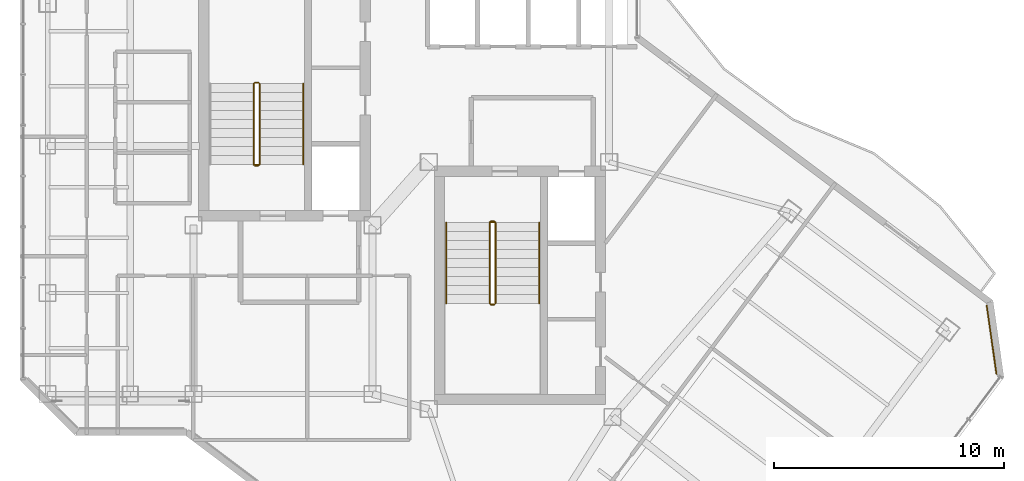
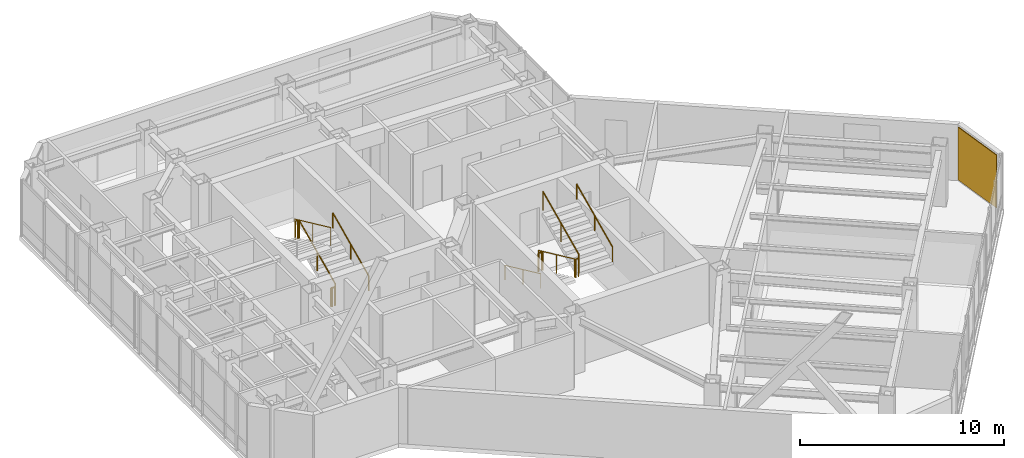
# One storey, part 23 of 24: 13 railings, 1 covering.
"""IFC4 building model written with IfcOpenShell, lengths in metres."""

from ifc_helpers import new_model, si_unit, direction, frame, origin, origin_2d, place, context, subcontext, project, spatial, rectangle, circle, extrude, material, layer, layer_set, type_object, element, save


model = new_model("IFC4")

# Units and contexts
model_context = context("Model", 3, precision=1e-05, world=origin(), true_north=direction((0.0, 1.0)))
body_context = subcontext(model_context, "Body", "Model", "MODEL_VIEW")
ifc_project = project(units=[si_unit("LENGTHUNIT", "METRE"), si_unit("AREAUNIT", "SQUARE_METRE"), si_unit("VOLUMEUNIT", "CUBIC_METRE"), si_unit("PLANEANGLEUNIT", "RADIAN"), si_unit("MASSUNIT", "GRAM", prefix="KILO")], contexts=[model_context])

# Site, building, storey
site_placement = place(None, origin())
site = spatial("IfcSite", under=ifc_project, at=site_placement, CompositionType="ELEMENT")
building_placement = place(site_placement, origin())
building = spatial("IfcBuilding", under=site, at=building_placement, Name="Hatsunagi Terrace Concourse", CompositionType="ELEMENT")
storey_placement = place(building_placement, frame((0.0, 0.0, 213.14990234375)))
storey = spatial("IfcBuildingStorey", under=building, at=storey_placement, Name="L56", CompositionType="ELEMENT", Elevation=213.14990234375)

# Railings
ifc_material_1 = material(Name="Stainless steel", Category="steel")
ifc_layer_1 = layer(ifc_material_1, 0.044921875)
ifc_layer_set_1 = layer_set([ifc_layer_1], Name="StairPitchHandrail_Tower2000")
railing_type_1 = type_object("IfcRailingType", Name="StairPitchHandrail_Tower2000", PredefinedType="HANDRAIL", material=ifc_layer_set_1)
railing_1_placement = place(storey_placement, frame((30.330078125, 35.199951171875, 0.18017578125)))
element("IfcRailing", 1, at=railing_1_placement, inside=storey, type_object=railing_type_1, Name="L56 ST-A stair handrail 1", PredefinedType="HANDRAIL", context=body_context, shape_type="SweptSolid", body=[
    extrude(circle(Radius=0.02392578125, at=origin_2d()), frame((0.0, 0.0, 0.8759765625), z_axis=(0.0, 0.907972323039, 0.419030142823), x_axis=(-1.0, 0.0, 0.0)), (0.0, 0.0, 1.0), 3.86572265625),
    extrude(circle(Radius=0.02099609375, at=origin_2d()), origin(), (0.0, 0.0, 1.0), 0.851806640625),
    extrude(circle(Radius=0.02099609375, at=origin_2d()), frame((0.0, 1.7548828125, 0.81005859375)), (0.0, 0.0, 1.0), 0.851806640625),
    extrude(circle(Radius=0.02099609375, at=origin_2d()), frame((0.0, 3.510009765625, 1.619873046875)), (0.0, 0.0, 1.0), 0.851806640625),
])
railing_2_placement = place(storey_placement, frame((36.550048828125, 32.659912109375, 0.18017578125)))
element("IfcRailing", 2, at=railing_2_placement, inside=storey, type_object=railing_type_1, Name="L56 ST-B stair handrail 1", PredefinedType="HANDRAIL", context=body_context, shape_type="SweptSolid", body=[
    extrude(circle(Radius=0.02392578125, at=origin_2d()), frame((0.0, 0.0, 0.8759765625), z_axis=(0.0, -0.907972323039, 0.419030142823), x_axis=(1.0, 0.0, 0.0)), (0.0, 0.0, 1.0), 3.86572265625),
    extrude(circle(Radius=0.02099609375, at=origin_2d()), origin(), (0.0, 0.0, 1.0), 0.851806640625),
    extrude(circle(Radius=0.02099609375, at=origin_2d()), frame((0.0, -1.7548828125, 0.81005859375)), (0.0, 0.0, 1.0), 0.851806640625),
    extrude(circle(Radius=0.02099609375, at=origin_2d()), frame((0.0, -3.510009765625, 1.619873046875)), (0.0, 0.0, 1.0), 0.851806640625),
])
railing_3_placement = place(storey_placement, frame((40.60009765625, 29.14990234375, 1.97998046875)))
element("IfcRailing", 3, at=railing_3_placement, inside=storey, type_object=railing_type_1, Name="L56 ST-B stair handrail 2", PredefinedType="HANDRAIL", context=body_context, shape_type="SweptSolid", body=[
    extrude(circle(Radius=0.02392578125, at=origin_2d()), frame((0.0, 0.0, 0.8759765625), z_axis=(0.0, 0.907948293929, 0.419082206198), x_axis=(-1.0, 0.0, 0.0)), (0.0, 0.0, 1.0), 3.865966796875),
    extrude(circle(Radius=0.02099609375, at=origin_2d()), origin(), (0.0, 0.0, 1.0), 0.851806640625),
    extrude(circle(Radius=0.02099609375, at=origin_2d()), frame((0.0, 1.7548828125, 0.81005859375)), (0.0, 0.0, 1.0), 0.851806640625),
    extrude(circle(Radius=0.02099609375, at=origin_2d()), frame((0.0, 3.510009765625, 1.6201171875)), (0.0, 0.0, 1.0), 0.851806640625),
])
ifc_material_2 = material(Name="Stainless steel", Category="steel")
ifc_layer_2 = layer(ifc_material_2, 0.06005859375)
ifc_layer_set_2 = layer_set([ifc_layer_2], Name="StairWellGuard_Tower2000")
railing_type_2 = type_object("IfcRailingType", Name="StairWellGuard_Tower2000", PredefinedType="BALUSTRADE", material=ifc_layer_set_2)
railing_4_placement = place(storey_placement, frame((28.429931640625, 35.199951171875, 0.18017578125)))
element("IfcRailing", 4, at=railing_4_placement, inside=storey, type_object=railing_type_2, Name="L56 ST-A stair guard 1", PredefinedType="BALUSTRADE", context=body_context, shape_type="SweptSolid", body=[
    extrude(circle(Radius=0.02392578125, at=origin_2d()), frame((0.0, 0.0, 1.09619140625), z_axis=(0.0, 0.907972323039, 0.419030142823), x_axis=(-1.0, 0.0, 0.0)), (0.0, 0.0, 1.0), 3.86572265625),
    extrude(circle(Radius=0.02099609375, at=origin_2d()), origin(), (0.0, 0.0, 1.0), 1.072021484375),
    extrude(circle(Radius=0.02099609375, at=origin_2d()), frame((0.0, 1.7548828125, 0.81005859375)), (0.0, 0.0, 1.0), 1.072021484375),
    extrude(circle(Radius=0.02099609375, at=origin_2d()), frame((0.0, 3.510009765625, 1.619873046875)), (0.0, 0.0, 1.0), 1.072021484375),
])
railing_5_placement = place(storey_placement, frame((28.3798828125, 38.760009765625, 1.800048828125)))
element("IfcRailing", 5, at=railing_5_placement, inside=storey, type_object=railing_type_2, Name="L56 ST-A stair guard 2", PredefinedType="BALUSTRADE", context=body_context, shape_type="SweptSolid", body=[
    extrude(circle(Radius=0.02392578125, at=origin_2d()), frame((0.0, 0.0, 1.09619140625), z_axis=(-1.0, 0.0, 0.0), x_axis=(0.0, -1.0, 0.0)), (0.0, 0.0, 1.0), 0.14990234375),
    extrude(circle(Radius=0.02099609375, at=origin_2d()), origin(), (0.0, 0.0, 1.0), 1.072021484375),
    extrude(circle(Radius=0.02099609375, at=origin_2d()), frame((-0.14990234375, 0.0, 0.0)), (0.0, 0.0, 1.0), 1.072021484375),
])
railing_6_placement = place(storey_placement, frame((28.179931640625, 38.7099609375, 1.97998046875)))
element("IfcRailing", 6, at=railing_6_placement, inside=storey, type_object=railing_type_2, Name="L56 ST-A stair guard 3", PredefinedType="BALUSTRADE", context=body_context, shape_type="SweptSolid", body=[
    extrude(circle(Radius=0.02392578125, at=origin_2d()), frame((0.0, 0.0, 1.09619140625), z_axis=(0.0, -0.907948293929, 0.419082206198), x_axis=(1.0, 0.0, 0.0)), (0.0, 0.0, 1.0), 3.865966796875),
    extrude(circle(Radius=0.02099609375, at=origin_2d()), origin(), (0.0, 0.0, 1.0), 1.072021484375),
    extrude(circle(Radius=0.02099609375, at=origin_2d()), frame((0.0, -1.7548828125, 0.81005859375)), (0.0, 0.0, 1.0), 1.072021484375),
    extrude(circle(Radius=0.02099609375, at=origin_2d()), frame((0.0, -3.510009765625, 1.6201171875)), (0.0, 0.0, 1.0), 1.072021484375),
])
railing_7_placement = place(storey_placement, frame((28.3798828125, 35.14990234375, 0.0)))
element("IfcRailing", 7, at=railing_7_placement, inside=storey, type_object=railing_type_2, Name="L56 ST-A stair guard 4", PredefinedType="BALUSTRADE", context=body_context, shape_type="SweptSolid", body=[
    extrude(circle(Radius=0.02392578125, at=origin_2d()), frame((0.0, 0.0, 1.09619140625), z_axis=(-1.0, 0.0, 0.0), x_axis=(0.0, -1.0, 0.0)), (0.0, 0.0, 1.0), 0.14990234375),
    extrude(circle(Radius=0.02099609375, at=origin_2d()), origin(), (0.0, 0.0, 1.0), 1.072021484375),
    extrude(circle(Radius=0.02099609375, at=origin_2d()), frame((-0.14990234375, 0.0, 0.0)), (0.0, 0.0, 1.0), 1.072021484375),
])
railing_8_placement = place(storey_placement, frame((38.449951171875, 32.659912109375, 0.18017578125)))
element("IfcRailing", 8, at=railing_8_placement, inside=storey, type_object=railing_type_2, Name="L56 ST-B stair guard 1", PredefinedType="BALUSTRADE", context=body_context, shape_type="SweptSolid", body=[
    extrude(circle(Radius=0.02392578125, at=origin_2d()), frame((0.0, 0.0, 1.09619140625), z_axis=(0.0, -0.907972323039, 0.419030142823), x_axis=(1.0, 0.0, 0.0)), (0.0, 0.0, 1.0), 3.86572265625),
    extrude(circle(Radius=0.02099609375, at=origin_2d()), origin(), (0.0, 0.0, 1.0), 1.072021484375),
    extrude(circle(Radius=0.02099609375, at=origin_2d()), frame((0.0, -1.7548828125, 0.81005859375)), (0.0, 0.0, 1.0), 1.072021484375),
    extrude(circle(Radius=0.02099609375, at=origin_2d()), frame((0.0, -3.510009765625, 1.619873046875)), (0.0, 0.0, 1.0), 1.072021484375),
])
railing_9_placement = place(storey_placement, frame((38.5, 29.10009765625, 1.800048828125)))
element("IfcRailing", 9, at=railing_9_placement, inside=storey, type_object=railing_type_2, Name="L56 ST-B stair guard 2", PredefinedType="BALUSTRADE", context=body_context, shape_type="SweptSolid", body=[
    extrude(circle(Radius=0.02392578125, at=origin_2d()), frame((0.0, 0.0, 1.09619140625), z_axis=(1.0, 0.0, 0.0), x_axis=(0.0, 1.0, 0.0)), (0.0, 0.0, 1.0), 0.14990234375),
    extrude(circle(Radius=0.02099609375, at=origin_2d()), origin(), (0.0, 0.0, 1.0), 1.072021484375),
    extrude(circle(Radius=0.02099609375, at=origin_2d()), frame((0.14990234375, 0.0, 0.0)), (0.0, 0.0, 1.0), 1.072021484375),
])
railing_10_placement = place(storey_placement, frame((38.699951171875, 29.14990234375, 1.97998046875)))
element("IfcRailing", 10, at=railing_10_placement, inside=storey, type_object=railing_type_2, Name="L56 ST-B stair guard 3", PredefinedType="BALUSTRADE", context=body_context, shape_type="SweptSolid", body=[
    extrude(circle(Radius=0.02392578125, at=origin_2d()), frame((0.0, 0.0, 1.09619140625), z_axis=(0.0, 0.907948293929, 0.419082206198), x_axis=(-1.0, 0.0, 0.0)), (0.0, 0.0, 1.0), 3.865966796875),
    extrude(circle(Radius=0.02099609375, at=origin_2d()), origin(), (0.0, 0.0, 1.0), 1.072021484375),
    extrude(circle(Radius=0.02099609375, at=origin_2d()), frame((0.0, 1.7548828125, 0.81005859375)), (0.0, 0.0, 1.0), 1.072021484375),
    extrude(circle(Radius=0.02099609375, at=origin_2d()), frame((0.0, 3.510009765625, 1.6201171875)), (0.0, 0.0, 1.0), 1.072021484375),
])
railing_11_placement = place(storey_placement, frame((38.5, 32.7099609375, 0.0)))
element("IfcRailing", 11, at=railing_11_placement, inside=storey, type_object=railing_type_2, Name="L56 ST-B stair guard 4", PredefinedType="BALUSTRADE", context=body_context, shape_type="SweptSolid", body=[
    extrude(circle(Radius=0.02392578125, at=origin_2d()), frame((0.0, 0.0, 1.09619140625), z_axis=(1.0, 0.0, 0.0), x_axis=(0.0, 1.0, 0.0)), (0.0, 0.0, 1.0), 0.14990234375),
    extrude(circle(Radius=0.02099609375, at=origin_2d()), origin(), (0.0, 0.0, 1.0), 1.072021484375),
    extrude(circle(Radius=0.02099609375, at=origin_2d()), frame((0.14990234375, 0.0, 0.0)), (0.0, 0.0, 1.0), 1.072021484375),
])
ifc_material_3 = material(Name="Stainless Steel SUS316 Post-and-Rail Guard", Category="steel")
ifc_layer_3 = layer(ifc_material_3, 0.080078125)
ifc_layer_set_3 = layer_set([ifc_layer_3], Name="TerracePlantedGuardRail_1200")
railing_type_3 = type_object("IfcRailingType", Name="TerracePlantedGuardRail_1200", PredefinedType="GUARDRAIL", material=ifc_layer_set_3)
for number, where, name in (
    (12, (28.179931640625, 35.179931640625, 0.0), "Stair ST-A Well Closure Guard L56"),
    (13, (38.449951171875, 32.679931640625, 0.0), "Stair ST-B Well Closure Guard L56"),
):
    element("IfcRailing", number, at=place(storey_placement, frame(where)), inside=storey, type_object=railing_type_3, Name=name, PredefinedType="GUARDRAIL", context=body_context, shape_type="SweptSolid", body=[
        extrude(circle(Radius=0.02392578125, at=origin_2d()), frame((0.0, 0.0, 1.09619140625), z_axis=(1.0, 0.0, 0.0), x_axis=(0.0, 1.0, 0.0)), (0.0, 0.0, 1.0), 0.25),
        extrude(circle(Radius=0.02099609375, at=origin_2d()), origin(), (0.0, 0.0, 1.0), 1.072021484375),
        extrude(circle(Radius=0.02099609375, at=origin_2d()), frame((0.25, 0.0, 0.0)), (0.0, 0.0, 1.0), 1.072021484375),
    ])

# Covering
ifc_material_4 = material(Name="Unglazed Warm Terracotta Rainscreen Tile", Category="masonry")
ifc_layer_4 = layer(ifc_material_4, 0.044921875)
ifc_layer_set_4 = layer_set([ifc_layer_4], Name="TerracottaRainscreenCladding_45")
covering_type = type_object("IfcCoveringType", Name="TerracottaRainscreenCladding_45", PredefinedType="CLADDING", material=ifc_layer_set_4)
covering_placement = place(storey_placement, frame((60.301025390625, 27.55810546875, 0.10009765625), z_axis=(0.0, 0.0, 1.0), x_axis=(0.141250262458, -0.989973920543, 0.0)))
element("IfcCovering", 14, at=covering_placement, inside=storey, type_object=covering_type, Name="Terracotta Rainscreen Cladding L56-02", PredefinedType="CLADDING", context=body_context, shape_type="SweptSolid", body=[
    extrude(rectangle(XDim=3.0380859375, YDim=0.044921875, at=origin_2d()), origin(), (0.0, 0.0, 1.0), 3.14990234375),
])

save(model, "model.ifc")
